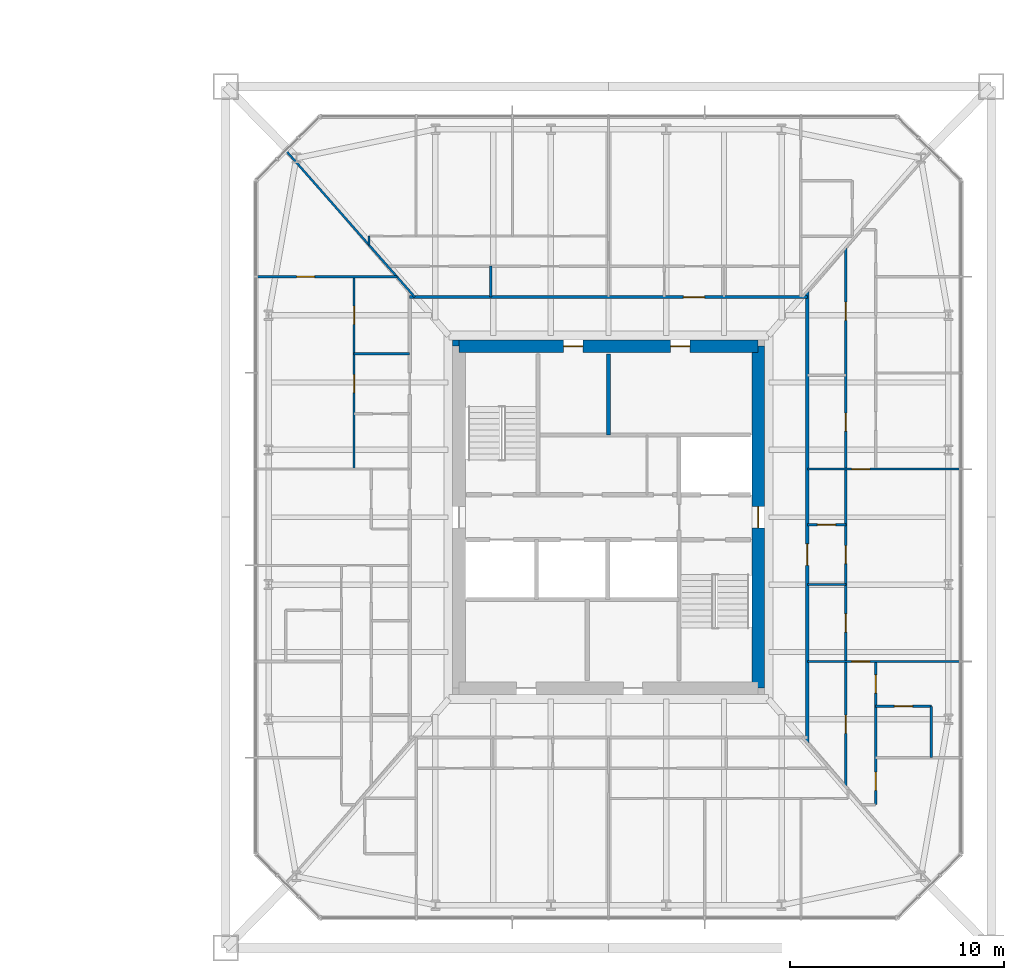
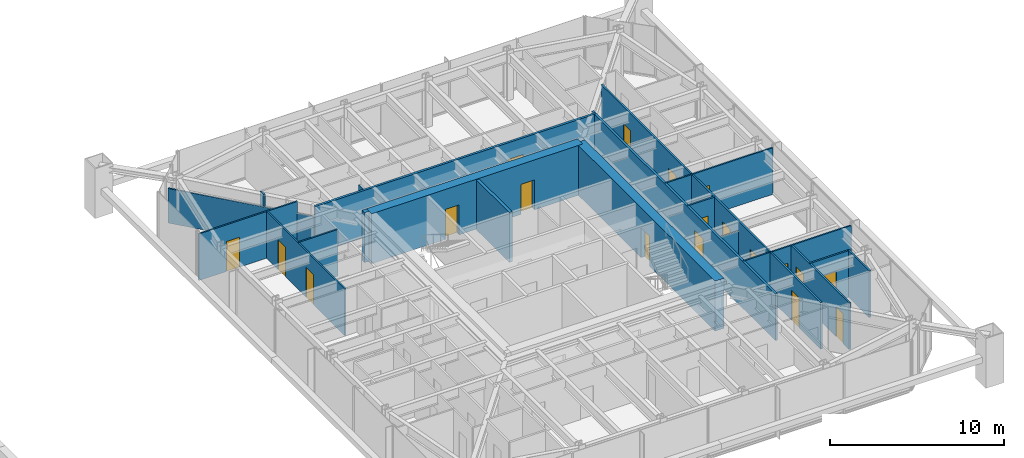
# One storey, part 21 of 27: 20 walls, 19 doors, 19 openings.
"""IFC4 building model written with IfcOpenShell, lengths in metres."""

from ifc_helpers import new_model, si_unit, direction, frame, frame_2d, origin, place, context, subcontext, project, spatial, rectangle, extrude, material, layer, layer_set, type_object, element, fill, save


model = new_model("IFC4")

# Units and contexts
model_context = context("Model", 3, precision=1e-05, world=origin(), true_north=direction((0.0, 1.0)))
body_context = subcontext(model_context, "Body", "Model", "MODEL_VIEW")
ifc_project = project(units=[si_unit("LENGTHUNIT", "METRE"), si_unit("AREAUNIT", "SQUARE_METRE"), si_unit("VOLUMEUNIT", "CUBIC_METRE"), si_unit("PLANEANGLEUNIT", "RADIAN"), si_unit("MASSUNIT", "GRAM", prefix="KILO")], contexts=[model_context])

# Site, building, storey
site_placement = place(None, origin())
site = spatial("IfcSite", under=ifc_project, at=site_placement, CompositionType="ELEMENT")
building_placement = place(site_placement, origin())
building = spatial("IfcBuilding", under=site, at=building_placement, Name="Iwan Alto Co-Living Towers", CompositionType="ELEMENT")
storey_placement = place(building_placement, frame((0.0, 0.0, 53.5)))
storey = spatial("IfcBuildingStorey", under=building, at=storey_placement, Name="L14", CompositionType="ELEMENT", Elevation=53.5)

# Wall, opening, door
ifc_material_1 = material(Name="Gypsum board")
ifc_layer_1 = layer(ifc_material_1, 0.02490234375, Name="Board", Category="Finish")
ifc_material_2 = material(Name="Steel ASTM A1003 ST33H cold-formed studs", Category="steel")
ifc_layer_2 = layer(ifc_material_2, 0.10009765625, Name="Studs", Category="Framing")
ifc_layer_3 = layer(ifc_material_1, 0.02490234375, Name="Board", Category="Finish")
ifc_layer_set_1 = layer_set([ifc_layer_1, ifc_layer_2, ifc_layer_3], Name="CORRIDOR WALL 150")
wall_type_1 = type_object("IfcWallType", Name="CORRIDOR WALL 150", PredefinedType="PARTITIONING", material=ifc_layer_set_1)
wall_1_placement = place(storey_placement, frame((53.699951171875, 10.300048828125, 0.0), z_axis=(0.0, 0.0, 1.0), x_axis=(1.0, 0.0, 0.0)))
wall_1 = element("IfcWall", 1, at=wall_1_placement, inside=storey, type_object=wall_type_1, Name="Partition L14", PredefinedType="PARTITIONING", context=body_context, shape_type="SweptSolid", body=[
    extrude(rectangle(XDim=18.60009765625, YDim=0.14990234375, at=frame_2d((9.300048828125, 0.0))), origin(), (0.0, 0.0, 1.0), 3.27001953125),
])
opening_1_placement = place(wall_1_placement, frame((12.800048828125, 0.0, 0.0)))
opening_1 = element("IfcOpeningElement", 2, at=opening_1_placement, cuts=wall_1, Name="Opening D3", PredefinedType="OPENING", context=body_context, shape_type="SweptSolid", body=[
    extrude(rectangle(XDim=1.0, YDim=2.10009765625, at=frame_2d((0.5, 1.050048828125))), frame((0.0, 0.0849609375, 0.0), z_axis=(0.0, -1.0, 0.0), x_axis=(1.0, 0.0, 0.0)), (0.0, 0.0, 1.0), 0.169921875),
])
ifc_material_3 = material(Name="Steel frame with timber leaf", Category="steel")
door_type_1 = type_object("IfcDoorType", Name="FLAT ENTRANCE DOOR FD30S 1000X2100", OperationType="SINGLE_SWING_LEFT", PredefinedType="DOOR", material=ifc_material_3)
door_1_placement = place(opening_1_placement, origin())
door_1 = element("IfcDoor", 3, at=door_1_placement, inside=storey, type_object=door_type_1, Name="Apartment foyer door L14", OperationType="SINGLE_SWING_LEFT", OverallHeight=2.10009765625, OverallWidth=1.0, PredefinedType="DOOR", context=body_context, shape_type="SweptSolid", body=[
    extrude(rectangle(XDim=1.0, YDim=2.10009765625, at=frame_2d((0.5, 1.050048828125))), frame((0.0, 0.02490234375, 0.0), z_axis=(0.0, -1.0, 0.0), x_axis=(1.0, 0.0, 0.0)), (0.0, 0.0, 1.0), 0.050048828125),
])
fill(opening_1, door_1)

wall_2_placement = place(storey_placement, frame((72.300048828125, -10.568115234375, 0.0), z_axis=(0.0, 0.0, 1.0), x_axis=(0.0, 1.0, 0.0)))
wall_2 = element("IfcWall", 4, at=wall_2_placement, inside=storey, type_object=wall_type_1, Name="Partition L14", PredefinedType="PARTITIONING", context=body_context, shape_type="SweptSolid", body=[
    extrude(rectangle(XDim=21.13623046875, YDim=0.14990234375, at=frame_2d((10.568115234375, 0.0))), origin(), (0.0, 0.0, 1.0), 3.27001953125),
])
opening_2_placement = place(wall_2_placement, frame((8.318115234375, 0.0, 0.0)))
opening_2 = element("IfcOpeningElement", 5, at=opening_2_placement, cuts=wall_2, Name="Opening D3", PredefinedType="OPENING", context=body_context, shape_type="SweptSolid", body=[
    extrude(rectangle(XDim=1.0, YDim=2.10009765625, at=frame_2d((0.5, 1.050048828125))), frame((0.0, 0.0849609375, 0.0), z_axis=(0.0, -1.0, 0.0), x_axis=(1.0, 0.0, 0.0)), (0.0, 0.0, 1.0), 0.169921875),
])
door_2_placement = place(opening_2_placement, frame((1.0, 0.0, 0.0), z_axis=(0.0, 0.0, 1.0), x_axis=(-1.0, 0.0, 0.0)))
door_2 = element("IfcDoor", 6, at=door_2_placement, inside=storey, type_object=door_type_1, Name="Apartment foyer door L14", OperationType="SINGLE_SWING_RIGHT", OverallHeight=2.10009765625, OverallWidth=1.0, PredefinedType="DOOR", context=body_context, shape_type="SweptSolid", body=[
    extrude(rectangle(XDim=1.0, YDim=2.10009765625, at=frame_2d((0.5, 1.050048828125))), frame((0.0, 0.02490234375, 0.0), z_axis=(0.0, -1.0, 0.0), x_axis=(1.0, 0.0, 0.0)), (0.0, 0.0, 1.0), 0.050048828125),
])
fill(opening_2, door_2)

ifc_layer_4 = layer(ifc_material_1, 0.012451171875, Name="Board", Category="Finish")
ifc_layer_5 = layer(ifc_material_2, 0.074951171875, Name="Studs", Category="Framing")
ifc_layer_6 = layer(ifc_material_1, 0.012451171875, Name="Board", Category="Finish")
ifc_layer_set_2 = layer_set([ifc_layer_4, ifc_layer_5, ifc_layer_6], Name="PARTITION 100")
wall_type_2 = type_object("IfcWallType", Name="PARTITION 100", PredefinedType="PARTITIONING", material=ifc_layer_set_2)
wall_3_placement = place(storey_placement, frame((72.300048828125, -6.75, 0.0), z_axis=(0.0, 0.0, 1.0), x_axis=(1.0, 0.0, 0.0)))
wall_3 = element("IfcWall", 7, at=wall_3_placement, inside=storey, type_object=wall_type_2, Name="Partition L14", PredefinedType="PARTITIONING", context=body_context, shape_type="SweptSolid", body=[
    extrude(rectangle(XDim=7.139892578125, YDim=0.10009765625, at=frame_2d((3.56982421875, 0.0))), origin(), (0.0, 0.0, 1.0), 3.27001953125),
])
opening_3_placement = place(wall_3_placement, frame((2.074951171875, 0.0, 0.0)))
opening_3 = element("IfcOpeningElement", 8, at=opening_3_placement, cuts=wall_3, Name="Opening D2", PredefinedType="OPENING", context=body_context, shape_type="SweptSolid", body=[
    extrude(rectangle(XDim=0.85009765625, YDim=2.10009765625, at=frame_2d((0.425048828125, 1.050048828125))), frame((0.0, 0.06005859375, 0.0), z_axis=(0.0, -1.0, 0.0), x_axis=(1.0, 0.0, 0.0)), (0.0, 0.0, 1.0), 0.1201171875),
])
ifc_material_4 = material(Name="Timber leaf in steel frame", Category="steel")
door_type_2 = type_object("IfcDoorType", Name="ROOM DOOR 850X2100", OperationType="SINGLE_SWING_LEFT", PredefinedType="DOOR", material=ifc_material_4)
door_3_placement = place(opening_3_placement, origin())
door_3 = element("IfcDoor", 9, at=door_3_placement, inside=storey, type_object=door_type_2, Name="Apartment hall door L14", OperationType="SINGLE_SWING_LEFT", OverallHeight=2.10009765625, OverallWidth=0.85009765625, PredefinedType="DOOR", context=body_context, shape_type="SweptSolid", body=[
    extrude(rectangle(XDim=0.85009765625, YDim=2.10009765625, at=frame_2d((0.425048828125, 1.050048828125))), frame((0.0, 0.02490234375, 0.0), z_axis=(0.0, -1.0, 0.0), x_axis=(1.0, 0.0, 0.0)), (0.0, 0.0, 1.0), 0.050048828125),
])
fill(opening_3, door_3)

# Wall
wall_4_placement = place(storey_placement, frame((72.300048828125, -3.14990234375, 0.0), z_axis=(0.0, 0.0, 1.0), x_axis=(1.0, 0.0, 0.0)))
element("IfcWall", 10, at=wall_4_placement, inside=storey, type_object=wall_type_2, Name="Partition L14", PredefinedType="PARTITIONING", context=body_context, shape_type="SweptSolid", body=[
    extrude(rectangle(XDim=1.800048828125, YDim=0.10009765625, at=frame_2d((0.89990234375, 0.0))), origin(), (0.0, 0.0, 1.0), 2.586669921875),
])

# Wall, opening, door
wall_5_placement = place(storey_placement, frame((72.300048828125, 2.25, 0.0), z_axis=(0.0, 0.0, 1.0), x_axis=(1.0, 0.0, 0.0)))
wall_5 = element("IfcWall", 11, at=wall_5_placement, inside=storey, type_object=wall_type_2, Name="Partition L14", PredefinedType="PARTITIONING", context=body_context, shape_type="SweptSolid", body=[
    extrude(rectangle(XDim=7.139892578125, YDim=0.10009765625, at=frame_2d((3.56982421875, 0.0))), origin(), (0.0, 0.0, 1.0), 3.27001953125),
])
opening_4_placement = place(wall_5_placement, frame((2.074951171875, 0.0, 0.0)))
opening_4 = element("IfcOpeningElement", 12, at=opening_4_placement, cuts=wall_5, Name="Opening D2", PredefinedType="OPENING", context=body_context, shape_type="SweptSolid", body=[
    extrude(rectangle(XDim=0.85009765625, YDim=2.10009765625, at=frame_2d((0.425048828125, 1.050048828125))), frame((0.0, 0.06005859375, 0.0), z_axis=(0.0, -1.0, 0.0), x_axis=(1.0, 0.0, 0.0)), (0.0, 0.0, 1.0), 0.1201171875),
])
door_4_placement = place(opening_4_placement, frame((0.85009765625, 0.0, 0.0), z_axis=(0.0, 0.0, 1.0), x_axis=(-1.0, 0.0, 0.0)))
door_4 = element("IfcDoor", 13, at=door_4_placement, inside=storey, type_object=door_type_2, Name="Apartment hall door L14", OperationType="SINGLE_SWING_RIGHT", OverallHeight=2.10009765625, OverallWidth=0.85009765625, PredefinedType="DOOR", context=body_context, shape_type="SweptSolid", body=[
    extrude(rectangle(XDim=0.85009765625, YDim=2.10009765625, at=frame_2d((0.425048828125, 1.050048828125))), frame((0.0, 0.02490234375, 0.0), z_axis=(0.0, -1.0, 0.0), x_axis=(1.0, 0.0, 0.0)), (0.0, 0.0, 1.0), 0.050048828125),
])
fill(opening_4, door_4)

# Wall
wall_6_placement = place(storey_placement, frame((51.10009765625, 7.64990234375, 0.0), z_axis=(0.0, 0.0, 1.0), x_axis=(1.0, 0.0, 0.0)))
element("IfcWall", 14, at=wall_6_placement, inside=storey, type_object=wall_type_2, Name="Partition L14", PredefinedType="PARTITIONING", context=body_context, shape_type="SweptSolid", body=[
    extrude(rectangle(XDim=2.599853515625, YDim=0.10009765625, at=frame_2d((1.2998046875, 0.0))), origin(), (0.0, 0.0, 1.0), 3.27001953125),
])

# Wall, opening, door
wall_7_placement = place(storey_placement, frame((46.56005859375, 11.25, 0.0), z_axis=(0.0, 0.0, 1.0), x_axis=(1.0, 0.0, 0.0)))
wall_7 = element("IfcWall", 15, at=wall_7_placement, inside=storey, type_object=wall_type_2, Name="Partition L14", PredefinedType="PARTITIONING", context=body_context, shape_type="SweptSolid", body=[
    extrude(rectangle(XDim=6.5400390625, YDim=0.10009765625, at=frame_2d((3.27001953125, 0.0))), origin(), (0.0, 0.0, 1.0), 3.27001953125),
])
opening_5_placement = place(wall_7_placement, frame((1.844970703125, 0.0, 0.0)))
opening_5 = element("IfcOpeningElement", 16, at=opening_5_placement, cuts=wall_7, Name="Opening D2", PredefinedType="OPENING", context=body_context, shape_type="SweptSolid", body=[
    extrude(rectangle(XDim=0.85009765625, YDim=2.10009765625, at=frame_2d((0.425048828125, 1.050048828125))), frame((0.0, 0.06005859375, 0.0), z_axis=(0.0, -1.0, 0.0), x_axis=(1.0, 0.0, 0.0)), (0.0, 0.0, 1.0), 0.1201171875),
])
door_5_placement = place(opening_5_placement, frame((0.85009765625, 0.0, 0.0), z_axis=(0.0, 0.0, 1.0), x_axis=(-1.0, 0.0, 0.0)))
door_5 = element("IfcDoor", 17, at=door_5_placement, inside=storey, type_object=door_type_2, Name="Bedroom door L14", OperationType="SINGLE_SWING_LEFT", OverallHeight=2.10009765625, OverallWidth=0.85009765625, PredefinedType="DOOR", context=body_context, shape_type="SweptSolid", body=[
    extrude(rectangle(XDim=0.85009765625, YDim=2.10009765625, at=frame_2d((0.425048828125, 1.050048828125))), frame((0.0, 0.02490234375, 0.0), z_axis=(0.0, -1.0, 0.0), x_axis=(1.0, 0.0, 0.0)), (0.0, 0.0, 1.0), 0.050048828125),
])
fill(opening_5, door_5)

# Wall
wall_8_placement = place(storey_placement, frame((51.800048828125, 12.72705078125, 0.0), z_axis=(0.0, 0.0, 1.0), x_axis=(0.0, 1.0, 0.0)))
element("IfcWall", 18, at=wall_8_placement, inside=storey, type_object=wall_type_2, Name="Partition L14", PredefinedType="PARTITIONING", context=body_context, shape_type="SweptSolid", body=[
    extrude(rectangle(XDim=0.4228515625, YDim=0.10009765625, at=frame_2d((0.21142578125, 0.0))), origin(), (0.0, 0.0, 1.0), 3.27001953125),
])

# Wall, openings, doors
wall_9_placement = place(storey_placement, frame((51.10009765625, 2.25, 0.0), z_axis=(0.0, 0.0, 1.0), x_axis=(0.0, 1.0, 0.0)))
wall_9 = element("IfcWall", 19, at=wall_9_placement, inside=storey, type_object=wall_type_2, Name="Partition L14", PredefinedType="PARTITIONING", context=body_context, shape_type="SweptSolid", body=[
    extrude(rectangle(XDim=9.0, YDim=0.10009765625, at=frame_2d((4.5, 0.0))), origin(), (0.0, 0.0, 1.0), 3.27001953125),
])
opening_6_placement = place(wall_9_placement, frame((6.77490234375, 0.0, 0.0)))
opening_6 = element("IfcOpeningElement", 20, at=opening_6_placement, cuts=wall_9, Name="Opening D2", PredefinedType="OPENING", context=body_context, shape_type="SweptSolid", body=[
    extrude(rectangle(XDim=0.85009765625, YDim=2.10009765625, at=frame_2d((0.425048828125, 1.050048828125))), frame((0.0, 0.06005859375, 0.0), z_axis=(0.0, -1.0, 0.0), x_axis=(1.0, 0.0, 0.0)), (0.0, 0.0, 1.0), 0.1201171875),
])
opening_7_placement = place(wall_9_placement, frame((3.574951171875, 0.0, 0.0)))
opening_7 = element("IfcOpeningElement", 21, at=opening_7_placement, cuts=wall_9, Name="Opening D2", PredefinedType="OPENING", context=body_context, shape_type="SweptSolid", body=[
    extrude(rectangle(XDim=0.85009765625, YDim=2.10009765625, at=frame_2d((0.425048828125, 1.050048828125))), frame((0.0, 0.06005859375, 0.0), z_axis=(0.0, -1.0, 0.0), x_axis=(1.0, 0.0, 0.0)), (0.0, 0.0, 1.0), 0.1201171875),
])
door_6_placement = place(opening_6_placement, origin())
door_6 = element("IfcDoor", 22, at=door_6_placement, inside=storey, type_object=door_type_2, Name="Kitchen door L14", OperationType="SINGLE_SWING_RIGHT", OverallHeight=2.10009765625, OverallWidth=0.85009765625, PredefinedType="DOOR", context=body_context, shape_type="SweptSolid", body=[
    extrude(rectangle(XDim=0.85009765625, YDim=2.10009765625, at=frame_2d((0.425048828125, 1.050048828125))), frame((0.0, 0.02490234375, 0.0), z_axis=(0.0, -1.0, 0.0), x_axis=(1.0, 0.0, 0.0)), (0.0, 0.0, 1.0), 0.050048828125),
])
fill(opening_6, door_6)
door_7_placement = place(opening_7_placement, origin())
door_7 = element("IfcDoor", 23, at=door_7_placement, inside=storey, type_object=door_type_2, Name="Apartment foyer door L14", OperationType="SINGLE_SWING_LEFT", OverallHeight=2.10009765625, OverallWidth=0.85009765625, PredefinedType="DOOR", context=body_context, shape_type="SweptSolid", body=[
    extrude(rectangle(XDim=0.85009765625, YDim=2.10009765625, at=frame_2d((0.425048828125, 1.050048828125))), frame((0.0, 0.02490234375, 0.0), z_axis=(0.0, -1.0, 0.0), x_axis=(1.0, 0.0, 0.0)), (0.0, 0.0, 1.0), 0.050048828125),
])
fill(opening_7, door_7)

# Walls
wall_10_placement = place(storey_placement, frame((53.93603515625, 10.300048828125, 0.0), z_axis=(0.0, 0.0, 1.0), x_axis=(-0.660638210404, 0.750704439146, 0.0)))
element("IfcWall", 24, at=wall_10_placement, inside=storey, type_object=wall_type_2, Name="Partition L14", PredefinedType="PARTITIONING", context=body_context, shape_type="SweptSolid", body=[
    extrude(rectangle(XDim=9.06982421875, YDim=0.10009765625, at=frame_2d((4.534912109375, 0.0))), origin(), (0.0, 0.0, 1.0), 2.42919921875),
])
ifc_material_5 = material(Name="Concrete f'c 70 MPa", Category="concrete")
ifc_layer_7 = layer(ifc_material_5, 0.199951171875)
ifc_layer_set_3 = layer_set([ifc_layer_7], Name="SHAFT WALL 200")
wall_type_3 = type_object("IfcWallType", Name="SHAFT WALL 200", PredefinedType="SOLIDWALL", material=ifc_layer_set_3)
wall_11_placement = place(storey_placement, frame((63.0, 3.85009765625, 0.0), z_axis=(0.0, 0.0, 1.0), x_axis=(0.0, 1.0, 0.0)))
element("IfcWall", 25, at=wall_11_placement, inside=storey, type_object=wall_type_3, Name="Shaft wall L14", PredefinedType="SOLIDWALL", context=body_context, shape_type="SweptSolid", body=[
    extrude(rectangle(XDim=3.789794921875, YDim=0.199951171875, at=frame_2d((1.89501953125, 0.0))), origin(), (0.0, 0.0, 1.0), 3.5),
])
ifc_material_6 = material(Name="Concrete f'c 70 MPa", Category="concrete")
ifc_layer_8 = layer(ifc_material_6, 0.300048828125)
ifc_layer_set_4 = layer_set([ifc_layer_8], Name="T2 CORE CORNER FILL 300")
wall_type_4 = type_object("IfcWallType", Name="T2 CORE CORNER FILL 300", PredefinedType="SOLIDWALL", material=ifc_layer_set_4)
wall_12_placement = place(storey_placement, frame((55.699951171875, 8.14990234375, 0.0), z_axis=(0.0, 0.0, 1.0), x_axis=(1.0, 0.0, 0.0)))
element("IfcWall", 26, at=wall_12_placement, inside=storey, type_object=wall_type_4, Name="T2 core corner NW L14", PredefinedType="SOLIDWALL", context=body_context, shape_type="SweptSolid", body=[
    extrude(rectangle(XDim=0.300048828125, YDim=0.300048828125, at=frame_2d((0.14990234375, 0.0))), origin(), (0.0, 0.0, 1.0), 3.5),
])

# Wall, openings, doors
ifc_material_7 = material(Name="Concrete f'c 70 MPa", Category="concrete")
ifc_layer_9 = layer(ifc_material_7, 0.60009765625)
ifc_layer_set_5 = layer_set([ifc_layer_9], Name="T2 CORE WALL 600")
wall_type_5 = type_object("IfcWallType", Name="T2 CORE WALL 600", PredefinedType="SHEAR", material=ifc_layer_set_5)
wall_13_placement = place(storey_placement, frame((70.0, 8.0, 0.0), z_axis=(0.0, 0.0, 1.0), x_axis=(-1.0, 0.0, 0.0)))
wall_13 = element("IfcWall", 27, at=wall_13_placement, inside=storey, type_object=wall_type_5, Name="T2 core wall N L14", PredefinedType="SHEAR", context=body_context, shape_type="SweptSolid", body=[
    extrude(rectangle(XDim=14.0, YDim=0.60009765625, at=frame_2d((7.0, 0.0))), origin(), (0.0, 0.0, 1.0), 3.5),
])
opening_8_placement = place(wall_13_placement, frame((8.199951171875, 0.0, 0.0)))
opening_8 = element("IfcOpeningElement", 28, at=opening_8_placement, cuts=wall_13, Name="Opening D8", PredefinedType="OPENING", context=body_context, shape_type="SweptSolid", body=[
    extrude(rectangle(XDim=0.89990234375, YDim=2.10009765625, at=frame_2d((0.449951171875, 1.050048828125))), frame((0.0, 0.31005859375, 0.0), z_axis=(0.0, -1.0, 0.0), x_axis=(1.0, 0.0, 0.0)), (0.0, 0.0, 1.0), 0.6201171875),
])
opening_9_placement = place(wall_13_placement, frame((3.199951171875, 0.0, 0.0)))
opening_9 = element("IfcOpeningElement", 29, at=opening_9_placement, cuts=wall_13, Name="Opening D8", PredefinedType="OPENING", context=body_context, shape_type="SweptSolid", body=[
    extrude(rectangle(XDim=0.89990234375, YDim=2.10009765625, at=frame_2d((0.449951171875, 1.050048828125))), frame((0.0, 0.31005859375, 0.0), z_axis=(0.0, -1.0, 0.0), x_axis=(1.0, 0.0, 0.0)), (0.0, 0.0, 1.0), 0.6201171875),
])
ifc_material_8 = material(Name="Steel frame with timber leaf", Category="steel")
door_type_3 = type_object("IfcDoorType", Name="RISER DOOR FD120 900X2100", OperationType="SINGLE_SWING_LEFT", PredefinedType="DOOR", material=ifc_material_8)
door_8_placement = place(opening_8_placement, origin())
door_8 = element("IfcDoor", 30, at=door_8_placement, inside=storey, type_object=door_type_3, Name="Electrical riser core door L14", OperationType="SINGLE_SWING_RIGHT", OverallHeight=2.10009765625, OverallWidth=0.89990234375, PredefinedType="DOOR", context=body_context, shape_type="SweptSolid", body=[
    extrude(rectangle(XDim=0.89990234375, YDim=2.10009765625, at=frame_2d((0.449951171875, 1.050048828125))), frame((0.0, 0.02490234375, 0.0), z_axis=(0.0, -1.0, 0.0), x_axis=(1.0, 0.0, 0.0)), (0.0, 0.0, 1.0), 0.050048828125),
])
fill(opening_8, door_8)
door_9_placement = place(opening_9_placement, origin())
door_9 = element("IfcDoor", 31, at=door_9_placement, inside=storey, type_object=door_type_3, Name="Water and drainage riser core door L14", OperationType="SINGLE_SWING_RIGHT", OverallHeight=2.10009765625, OverallWidth=0.89990234375, PredefinedType="DOOR", context=body_context, shape_type="SweptSolid", body=[
    extrude(rectangle(XDim=0.89990234375, YDim=2.10009765625, at=frame_2d((0.449951171875, 1.050048828125))), frame((0.0, 0.02490234375, 0.0), z_axis=(0.0, -1.0, 0.0), x_axis=(1.0, 0.0, 0.0)), (0.0, 0.0, 1.0), 0.050048828125),
])
fill(opening_9, door_9)

# Wall, opening, door
wall_14_placement = place(storey_placement, frame((70.0, -8.0, 0.0), z_axis=(0.0, 0.0, 1.0), x_axis=(0.0, 1.0, 0.0)))
wall_14 = element("IfcWall", 32, at=wall_14_placement, inside=storey, type_object=wall_type_5, Name="T2 core wall E L14", PredefinedType="SHEAR", context=body_context, shape_type="SweptSolid", body=[
    extrude(rectangle(XDim=16.0, YDim=0.60009765625, at=frame_2d((8.0, 0.0))), origin(), (0.0, 0.0, 1.0), 3.5),
])
opening_10_placement = place(wall_14_placement, frame((7.5, 0.0, 0.0)))
opening_10 = element("IfcOpeningElement", 33, at=opening_10_placement, cuts=wall_14, Name="Opening D7", PredefinedType="OPENING", context=body_context, shape_type="SweptSolid", body=[
    extrude(rectangle(XDim=1.0, YDim=2.10009765625, at=frame_2d((0.5, 1.050048828125))), frame((0.0, 0.31005859375, 0.0), z_axis=(0.0, -1.0, 0.0), x_axis=(1.0, 0.0, 0.0)), (0.0, 0.0, 1.0), 0.6201171875),
])
ifc_material_9 = material(Name="Steel frame with timber leaf", Category="steel")
door_type_4 = type_object("IfcDoorType", Name="CORE DOOR FD120S 1000X2100", OperationType="SINGLE_SWING_LEFT", PredefinedType="DOOR", material=ifc_material_9)
door_10_placement = place(opening_10_placement, origin())
door_10 = element("IfcDoor", 34, at=door_10_placement, inside=storey, type_object=door_type_4, Name="Firefighting lobby core door L14", OperationType="SINGLE_SWING_LEFT", OverallHeight=2.10009765625, OverallWidth=1.0, PredefinedType="DOOR", context=body_context, shape_type="SweptSolid", body=[
    extrude(rectangle(XDim=1.0, YDim=2.10009765625, at=frame_2d((0.5, 1.050048828125))), frame((0.0, 0.02490234375, 0.0), z_axis=(0.0, -1.0, 0.0), x_axis=(1.0, 0.0, 0.0)), (0.0, 0.0, 1.0), 0.050048828125),
])
fill(opening_10, door_10)

ifc_material_10 = material(Name="Cement board")
ifc_layer_10 = layer(ifc_material_10, 0.012451171875, Name="Board", Category="Finish")
ifc_layer_11 = layer(ifc_material_2, 0.094970703125, Name="Studs", Category="Framing")
ifc_layer_12 = layer(ifc_material_10, 0.012451171875, Name="Board", Category="Finish")
ifc_layer_set_6 = layer_set([ifc_layer_10, ifc_layer_11, ifc_layer_12], Name="WET AREA PARTITION 120")
wall_type_6 = type_object("IfcWallType", Name="WET AREA PARTITION 120", PredefinedType="PARTITIONING", material=ifc_layer_set_6)
wall_15_placement = place(storey_placement, frame((75.5, -8.85009765625, 0.0), z_axis=(0.0, 0.0, 1.0), x_axis=(1.0, 0.0, 0.0)))
wall_15 = element("IfcWall", 35, at=wall_15_placement, inside=storey, type_object=wall_type_6, Name="Partition L14", PredefinedType="PARTITIONING", context=body_context, shape_type="SweptSolid", body=[
    extrude(rectangle(XDim=2.60009765625, YDim=0.1201171875, at=frame_2d((1.300048828125, 0.0))), origin(), (0.0, 0.0, 1.0), 3.27001953125),
])
opening_11_placement = place(wall_15_placement, frame((0.875, 0.0, 0.0)))
opening_11 = element("IfcOpeningElement", 36, at=opening_11_placement, cuts=wall_15, Name="Opening D2", PredefinedType="OPENING", context=body_context, shape_type="SweptSolid", body=[
    extrude(rectangle(XDim=0.85009765625, YDim=2.10009765625, at=frame_2d((0.425048828125, 1.050048828125))), frame((0.0, 0.070068359375, 0.0), z_axis=(0.0, -1.0, 0.0), x_axis=(1.0, 0.0, 0.0)), (0.0, 0.0, 1.0), 0.14013671875),
])
door_11_placement = place(opening_11_placement, origin())
door_11 = element("IfcDoor", 37, at=door_11_placement, inside=storey, type_object=door_type_2, Name="En-suite shower room door L14", OperationType="SINGLE_SWING_LEFT", OverallHeight=2.10009765625, OverallWidth=0.85009765625, PredefinedType="DOOR", context=body_context, shape_type="SweptSolid", body=[
    extrude(rectangle(XDim=0.85009765625, YDim=2.10009765625, at=frame_2d((0.425048828125, 1.050048828125))), frame((0.0, 0.02490234375, 0.0), z_axis=(0.0, -1.0, 0.0), x_axis=(1.0, 0.0, 0.0)), (0.0, 0.0, 1.0), 0.050048828125),
])
fill(opening_11, door_11)

wall_16_placement = place(storey_placement, frame((72.300048828125, -0.35009765625, 0.0), z_axis=(0.0, 0.0, 1.0), x_axis=(1.0, 0.0, 0.0)))
wall_16 = element("IfcWall", 38, at=wall_16_placement, inside=storey, type_object=wall_type_6, Name="Partition L14", PredefinedType="PARTITIONING", context=body_context, shape_type="SweptSolid", body=[
    extrude(rectangle(XDim=1.800048828125, YDim=0.1201171875, at=frame_2d((0.89990234375, 0.0))), origin(), (0.0, 0.0, 1.0), 3.27001953125),
])
opening_12_placement = place(wall_16_placement, frame((0.47509765625, 0.0, 0.0)))
opening_12 = element("IfcOpeningElement", 39, at=opening_12_placement, cuts=wall_16, Name="Opening D2", PredefinedType="OPENING", context=body_context, shape_type="SweptSolid", body=[
    extrude(rectangle(XDim=0.85009765625, YDim=2.10009765625, at=frame_2d((0.425048828125, 1.050048828125))), frame((0.0, 0.070068359375, 0.0), z_axis=(0.0, -1.0, 0.0), x_axis=(1.0, 0.0, 0.0)), (0.0, 0.0, 1.0), 0.14013671875),
])
door_12_placement = place(opening_12_placement, origin())
door_12 = element("IfcDoor", 40, at=door_12_placement, inside=storey, type_object=door_type_2, Name="Bathroom door L14", OperationType="SINGLE_SWING_LEFT", OverallHeight=2.10009765625, OverallWidth=0.85009765625, PredefinedType="DOOR", context=body_context, shape_type="SweptSolid", body=[
    extrude(rectangle(XDim=0.85009765625, YDim=2.10009765625, at=frame_2d((0.425048828125, 1.050048828125))), frame((0.0, 0.02490234375, 0.0), z_axis=(0.0, -1.0, 0.0), x_axis=(1.0, 0.0, 0.0)), (0.0, 0.0, 1.0), 0.050048828125),
])
fill(opening_12, door_12)

# Wall
wall_17_placement = place(storey_placement, frame((78.10009765625, -11.25, 0.0), z_axis=(0.0, 0.0, 1.0), x_axis=(0.0, 1.0, 0.0)))
element("IfcWall", 41, at=wall_17_placement, inside=storey, type_object=wall_type_6, Name="Partition L14", PredefinedType="PARTITIONING", context=body_context, shape_type="SweptSolid", body=[
    extrude(rectangle(XDim=2.39990234375, YDim=0.1201171875, at=frame_2d((1.199951171875, 0.0))), origin(), (0.0, 0.0, 1.0), 3.27001953125),
])

# Wall, openings, doors
wall_18_placement = place(storey_placement, frame((75.5, -13.449951171875, 0.0), z_axis=(0.0, 0.0, 1.0), x_axis=(0.0, 1.0, 0.0)))
wall_18 = element("IfcWall", 42, at=wall_18_placement, inside=storey, type_object=wall_type_6, Name="Partition L14", PredefinedType="PARTITIONING", context=body_context, shape_type="SweptSolid", body=[
    extrude(rectangle(XDim=6.699951171875, YDim=0.1201171875, at=frame_2d((3.35009765625, 0.0))), origin(), (0.0, 0.0, 1.0), 3.27001953125),
])
opening_13_placement = place(wall_18_placement, frame((5.22509765625, 0.0, 0.0)))
opening_13 = element("IfcOpeningElement", 43, at=opening_13_placement, cuts=wall_18, Name="Opening D2", PredefinedType="OPENING", context=body_context, shape_type="SweptSolid", body=[
    extrude(rectangle(XDim=0.85009765625, YDim=2.10009765625, at=frame_2d((0.425048828125, 1.050048828125))), frame((0.0, 0.070068359375, 0.0), z_axis=(0.0, -1.0, 0.0), x_axis=(1.0, 0.0, 0.0)), (0.0, 0.0, 1.0), 0.14013671875),
])
opening_14_placement = place(wall_18_placement, frame((0.675048828125, 0.0, 0.0)))
opening_14 = element("IfcOpeningElement", 44, at=opening_14_placement, cuts=wall_18, Name="Opening D2", PredefinedType="OPENING", context=body_context, shape_type="SweptSolid", body=[
    extrude(rectangle(XDim=0.85009765625, YDim=2.10009765625, at=frame_2d((0.425048828125, 1.050048828125))), frame((0.0, 0.070068359375, 0.0), z_axis=(0.0, -1.0, 0.0), x_axis=(1.0, 0.0, 0.0)), (0.0, 0.0, 1.0), 0.14013671875),
])
door_13_placement = place(opening_13_placement, frame((0.85009765625, 0.0, 0.0), z_axis=(0.0, 0.0, 1.0), x_axis=(-1.0, 0.0, 0.0)))
door_13 = element("IfcDoor", 45, at=door_13_placement, inside=storey, type_object=door_type_2, Name="Bedroom door L14", OperationType="SINGLE_SWING_RIGHT", OverallHeight=2.10009765625, OverallWidth=0.85009765625, PredefinedType="DOOR", context=body_context, shape_type="SweptSolid", body=[
    extrude(rectangle(XDim=0.85009765625, YDim=2.10009765625, at=frame_2d((0.425048828125, 1.050048828125))), frame((0.0, 0.02490234375, 0.0), z_axis=(0.0, -1.0, 0.0), x_axis=(1.0, 0.0, 0.0)), (0.0, 0.0, 1.0), 0.050048828125),
])
fill(opening_13, door_13)
door_14_placement = place(opening_14_placement, frame((0.85009765625, 0.0, 0.0), z_axis=(0.0, 0.0, 1.0), x_axis=(-1.0, 0.0, 0.0)))
door_14 = element("IfcDoor", 46, at=door_14_placement, inside=storey, type_object=door_type_2, Name="Bedroom door L14", OperationType="SINGLE_SWING_LEFT", OverallHeight=2.10009765625, OverallWidth=0.85009765625, PredefinedType="DOOR", context=body_context, shape_type="SweptSolid", body=[
    extrude(rectangle(XDim=0.85009765625, YDim=2.10009765625, at=frame_2d((0.425048828125, 1.050048828125))), frame((0.0, 0.02490234375, 0.0), z_axis=(0.0, -1.0, 0.0), x_axis=(1.0, 0.0, 0.0)), (0.0, 0.0, 1.0), 0.050048828125),
])
fill(opening_14, door_14)

wall_19_placement = place(storey_placement, frame((74.10009765625, -12.614013671875, 0.0), z_axis=(0.0, 0.0, 1.0), x_axis=(0.0, 1.0, 0.0)))
wall_19 = element("IfcWall", 47, at=wall_19_placement, inside=storey, type_object=wall_type_6, Name="Partition L14", PredefinedType="PARTITIONING", context=body_context, shape_type="SweptSolid", body=[
    extrude(rectangle(XDim=25.22802734375, YDim=0.1201171875, at=frame_2d((12.614013671875, 0.0))), origin(), (0.0, 0.0, 1.0), 3.27001953125),
])
opening_15_placement = place(wall_19_placement, frame((7.239013671875, 0.0, 0.0)))
opening_15 = element("IfcOpeningElement", 48, at=opening_15_placement, cuts=wall_19, Name="Opening D2", PredefinedType="OPENING", context=body_context, shape_type="SweptSolid", body=[
    extrude(rectangle(XDim=0.85009765625, YDim=2.10009765625, at=frame_2d((0.425048828125, 1.050048828125))), frame((0.0, 0.070068359375, 0.0), z_axis=(0.0, -1.0, 0.0), x_axis=(1.0, 0.0, 0.0)), (0.0, 0.0, 1.0), 0.14013671875),
])
opening_16_placement = place(wall_19_placement, frame((10.43896484375, 0.0, 0.0)))
opening_16 = element("IfcOpeningElement", 49, at=opening_16_placement, cuts=wall_19, Name="Opening D2", PredefinedType="OPENING", context=body_context, shape_type="SweptSolid", body=[
    extrude(rectangle(XDim=0.85009765625, YDim=2.10009765625, at=frame_2d((0.425048828125, 1.050048828125))), frame((0.0, 0.070068359375, 0.0), z_axis=(0.0, -1.0, 0.0), x_axis=(1.0, 0.0, 0.0)), (0.0, 0.0, 1.0), 0.14013671875),
])
opening_17_placement = place(wall_19_placement, frame((2.507080078125, 0.0, 0.0)))
opening_17 = element("IfcOpeningElement", 50, at=opening_17_placement, cuts=wall_19, Name="Opening D2", PredefinedType="OPENING", context=body_context, shape_type="SweptSolid", body=[
    extrude(rectangle(XDim=0.85009765625, YDim=2.10009765625, at=frame_2d((0.425048828125, 1.050048828125))), frame((0.0, 0.070068359375, 0.0), z_axis=(0.0, -1.0, 0.0), x_axis=(1.0, 0.0, 0.0)), (0.0, 0.0, 1.0), 0.14013671875),
])
opening_18_placement = place(wall_19_placement, frame((16.638916015625, 0.0, 0.0)))
opening_18 = element("IfcOpeningElement", 51, at=opening_18_placement, cuts=wall_19, Name="Opening D2", PredefinedType="OPENING", context=body_context, shape_type="SweptSolid", body=[
    extrude(rectangle(XDim=0.85009765625, YDim=2.10009765625, at=frame_2d((0.425048828125, 1.050048828125))), frame((0.0, 0.070068359375, 0.0), z_axis=(0.0, -1.0, 0.0), x_axis=(1.0, 0.0, 0.0)), (0.0, 0.0, 1.0), 0.14013671875),
])
opening_19_placement = place(wall_19_placement, frame((21.821044921875, 0.0, 0.0)))
opening_19 = element("IfcOpeningElement", 52, at=opening_19_placement, cuts=wall_19, Name="Opening D2", PredefinedType="OPENING", context=body_context, shape_type="SweptSolid", body=[
    extrude(rectangle(XDim=0.85009765625, YDim=2.10009765625, at=frame_2d((0.425048828125, 1.050048828125))), frame((0.0, 0.070068359375, 0.0), z_axis=(0.0, -1.0, 0.0), x_axis=(1.0, 0.0, 0.0)), (0.0, 0.0, 1.0), 0.14013671875),
])
door_15_placement = place(opening_15_placement, frame((0.85009765625, 0.0, 0.0), z_axis=(0.0, 0.0, 1.0), x_axis=(-1.0, 0.0, 0.0)))
door_15 = element("IfcDoor", 53, at=door_15_placement, inside=storey, type_object=door_type_2, Name="Kitchen door L14", OperationType="SINGLE_SWING_RIGHT", OverallHeight=2.10009765625, OverallWidth=0.85009765625, PredefinedType="DOOR", context=body_context, shape_type="SweptSolid", body=[
    extrude(rectangle(XDim=0.85009765625, YDim=2.10009765625, at=frame_2d((0.425048828125, 1.050048828125))), frame((0.0, 0.02490234375, 0.0), z_axis=(0.0, -1.0, 0.0), x_axis=(1.0, 0.0, 0.0)), (0.0, 0.0, 1.0), 0.050048828125),
])
fill(opening_15, door_15)
door_16_placement = place(opening_16_placement, frame((0.85009765625, 0.0, 0.0), z_axis=(0.0, 0.0, 1.0), x_axis=(-1.0, 0.0, 0.0)))
door_16 = element("IfcDoor", 54, at=door_16_placement, inside=storey, type_object=door_type_2, Name="Apartment foyer door L14", OperationType="SINGLE_SWING_LEFT", OverallHeight=2.10009765625, OverallWidth=0.85009765625, PredefinedType="DOOR", context=body_context, shape_type="SweptSolid", body=[
    extrude(rectangle(XDim=0.85009765625, YDim=2.10009765625, at=frame_2d((0.425048828125, 1.050048828125))), frame((0.0, 0.02490234375, 0.0), z_axis=(0.0, -1.0, 0.0), x_axis=(1.0, 0.0, 0.0)), (0.0, 0.0, 1.0), 0.050048828125),
])
fill(opening_16, door_16)
door_17_placement = place(opening_17_placement, origin())
door_17 = element("IfcDoor", 55, at=door_17_placement, inside=storey, type_object=door_type_2, Name="Utility room door L14", OperationType="SINGLE_SWING_LEFT", OverallHeight=2.10009765625, OverallWidth=0.85009765625, PredefinedType="DOOR", context=body_context, shape_type="SweptSolid", body=[
    extrude(rectangle(XDim=0.85009765625, YDim=2.10009765625, at=frame_2d((0.425048828125, 1.050048828125))), frame((0.0, 0.02490234375, 0.0), z_axis=(0.0, -1.0, 0.0), x_axis=(1.0, 0.0, 0.0)), (0.0, 0.0, 1.0), 0.050048828125),
])
fill(opening_17, door_17)
door_18_placement = place(opening_18_placement, origin())
door_18 = element("IfcDoor", 56, at=door_18_placement, inside=storey, type_object=door_type_2, Name="Utility room door L14", OperationType="SINGLE_SWING_LEFT", OverallHeight=2.10009765625, OverallWidth=0.85009765625, PredefinedType="DOOR", context=body_context, shape_type="SweptSolid", body=[
    extrude(rectangle(XDim=0.85009765625, YDim=2.10009765625, at=frame_2d((0.425048828125, 1.050048828125))), frame((0.0, 0.02490234375, 0.0), z_axis=(0.0, -1.0, 0.0), x_axis=(1.0, 0.0, 0.0)), (0.0, 0.0, 1.0), 0.050048828125),
])
fill(opening_18, door_18)
door_19_placement = place(opening_19_placement, origin())
door_19 = element("IfcDoor", 57, at=door_19_placement, inside=storey, type_object=door_type_2, Name="Store room door L14", OperationType="SINGLE_SWING_RIGHT", OverallHeight=2.10009765625, OverallWidth=0.85009765625, PredefinedType="DOOR", context=body_context, shape_type="SweptSolid", body=[
    extrude(rectangle(XDim=0.85009765625, YDim=2.10009765625, at=frame_2d((0.425048828125, 1.050048828125))), frame((0.0, 0.02490234375, 0.0), z_axis=(0.0, -1.0, 0.0), x_axis=(1.0, 0.0, 0.0)), (0.0, 0.0, 1.0), 0.050048828125),
])
fill(opening_19, door_19)

# Wall
wall_20_placement = place(storey_placement, frame((57.5, 10.300048828125, 0.0), z_axis=(0.0, 0.0, 1.0), x_axis=(0.0, 1.0, 0.0)))
element("IfcWall", 58, at=wall_20_placement, inside=storey, type_object=wall_type_6, Name="Partition L14", PredefinedType="PARTITIONING", context=body_context, shape_type="SweptSolid", body=[
    extrude(rectangle(XDim=1.449951171875, YDim=0.1201171875, at=frame_2d((0.72509765625, 0.0))), origin(), (0.0, 0.0, 1.0), 2.586669921875),
])

save(model, "model.ifc")
